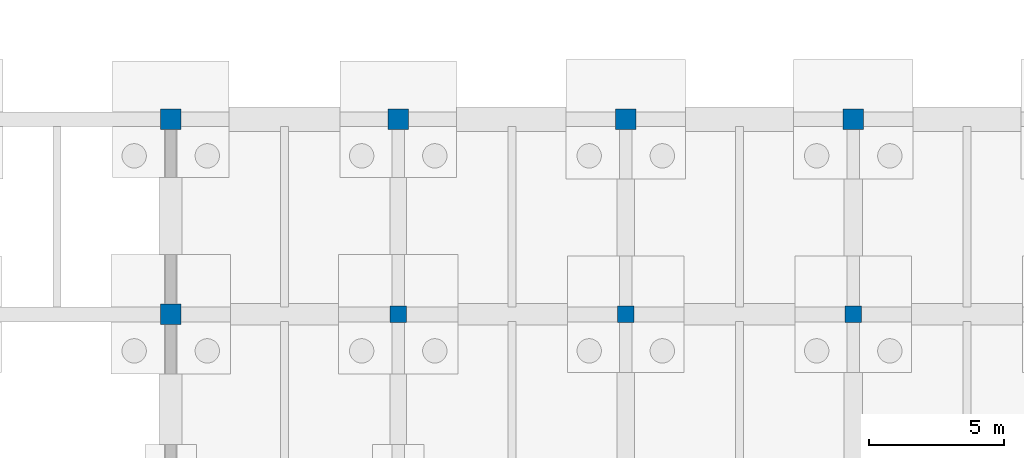
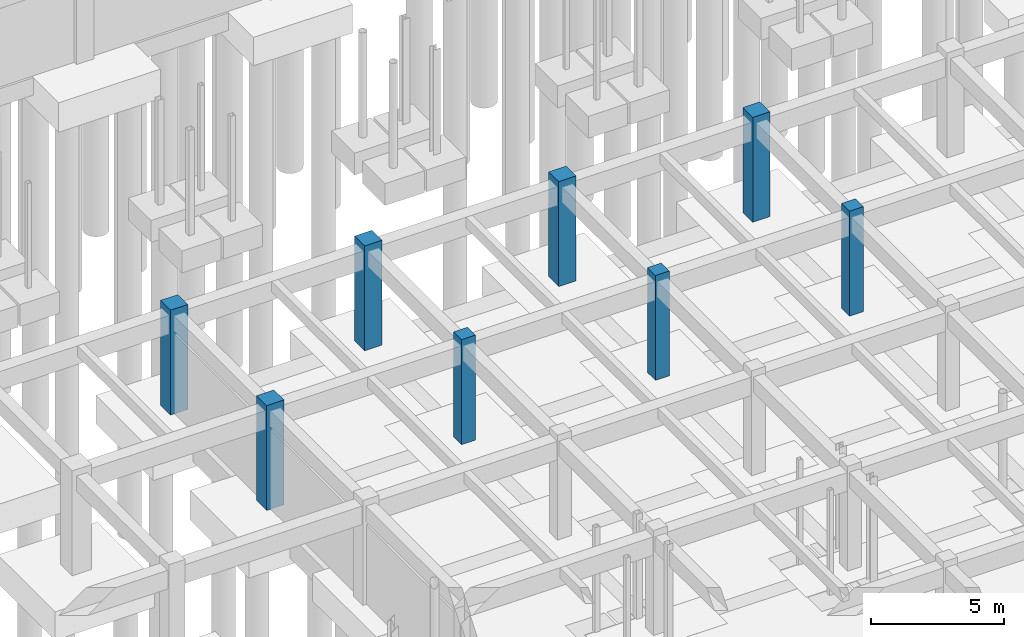
# One storey, part 29 of 80: 8 columns.
"""IFC4 building model written with IfcOpenShell, lengths in metres."""

from ifc_helpers import new_model, si_unit, direction, frame, origin, origin_2d, place, context, subcontext, project, spatial, rectangle, extrude, material, material_profile, profile_set, type_object, element, save


model = new_model("IFC4")

# Units and contexts
model_context = context("Model", 3, precision=1e-05, world=origin(), true_north=direction((0.0, 1.0)))
body_context = subcontext(model_context, "Body", "Model", "MODEL_VIEW")
ifc_project = project(units=[si_unit("LENGTHUNIT", "METRE"), si_unit("AREAUNIT", "SQUARE_METRE"), si_unit("VOLUMEUNIT", "CUBIC_METRE"), si_unit("PLANEANGLEUNIT", "RADIAN"), si_unit("MASSUNIT", "GRAM", prefix="KILO")], contexts=[model_context])

# Site, building, storey
site_placement = place(None, origin())
site = spatial("IfcSite", under=ifc_project, at=site_placement, CompositionType="ELEMENT")
building_placement = place(site_placement, origin())
building = spatial("IfcBuilding", under=site, at=building_placement, Name="Malvenik Polytechnic", CompositionType="ELEMENT")
storey_placement = place(building_placement, frame((0.0, 0.0, -4.800048828125)))
storey = spatial("IfcBuildingStorey", under=building, at=storey_placement, Name="B1", CompositionType="ELEMENT", Elevation=-4.800048828125)

# Columns
ifc_material_1 = material(Name="Concrete C40/50", Category="concrete")
ifc_material_profile_1 = material_profile(ifc_material_1, rectangle(XDim=0.75, YDim=0.75, at=origin_2d()), Name="RC COL 750x750")
ifc_profile_set_1 = profile_set([ifc_material_profile_1], Name="Concrete C40/50")
column_type_1 = type_object("IfcColumnType", Name="STR-COL-C-03", PredefinedType="COLUMN", material=ifc_profile_set_1)
for number, where, z_axis, x_axis, name in (
    (1, (33.60009765625, 86.39990234375, 0.0), (0.0, 0.0, 1.0), (1.0, 0.0, 0.0), "Column C-03 B1 (33.6,86.4)"),
    (2, (33.60009765625, 93.60009765625, 0.0), (0.0, 0.0, 1.0), (1.0, 0.0, 0.0), "Column C-03 B1 (33.6,93.6)"),
    (3, (42.0, 93.60009765625, 0.0), (0.0, 0.0, 1.0), (1.0, 0.0, 0.0), "Column C-03 B1 (42.0,93.6)"),
    (4, (50.39990234375, 93.60009765625, 0.0), (0.0, 0.0, 1.0), (1.0, 0.0, 0.0), "Column C-03 B1 (50.4,93.6)"),
    (5, (58.800048828125, 93.60009765625, 0.0), (0.0, 0.0, 1.0), (1.0, 0.0, 0.0), "Column C-03 B1 (58.8,93.6)"),
):
    element("IfcColumn", number, at=place(storey_placement, frame(where, z_axis=z_axis, x_axis=x_axis)), inside=storey, type_object=column_type_1, Name=name, PredefinedType="COLUMN", context=body_context, shape_type="SweptSolid", body=[
        extrude(rectangle(XDim=0.75, YDim=0.75, at=origin_2d()), origin(), (0.0, 0.0, 1.0), 4.800048828125),
    ])
ifc_material_2 = material(Name="Concrete C35/45", Category="concrete")
ifc_material_profile_2 = material_profile(ifc_material_2, rectangle(XDim=0.60009765625, YDim=0.60009765625, at=origin_2d()), Name="RC COL 600x600")
ifc_profile_set_2 = profile_set([ifc_material_profile_2], Name="Concrete C35/45")
column_type_2 = type_object("IfcColumnType", Name="STR-COL-C-06", PredefinedType="COLUMN", material=ifc_profile_set_2)
for number, where, z_axis, x_axis, name in (
    (6, (42.0, 86.39990234375, 0.0), (0.0, 0.0, 1.0), (1.0, 0.0, 0.0), "Column C-06 B1 (42.0,86.4)"),
    (7, (50.39990234375, 86.39990234375, 0.0), (0.0, 0.0, 1.0), (1.0, 0.0, 0.0), "Column C-06 B1 (50.4,86.4)"),
    (8, (58.800048828125, 86.39990234375, 0.0), (0.0, 0.0, 1.0), (1.0, 0.0, 0.0), "Column C-06 B1 (58.8,86.4)"),
):
    element("IfcColumn", number, at=place(storey_placement, frame(where, z_axis=z_axis, x_axis=x_axis)), inside=storey, type_object=column_type_2, Name=name, PredefinedType="COLUMN", context=body_context, shape_type="SweptSolid", body=[
        extrude(rectangle(XDim=0.60009765625, YDim=0.60009765625, at=origin_2d()), origin(), (0.0, 0.0, 1.0), 4.800048828125),
    ])

save(model, "model.ifc")
